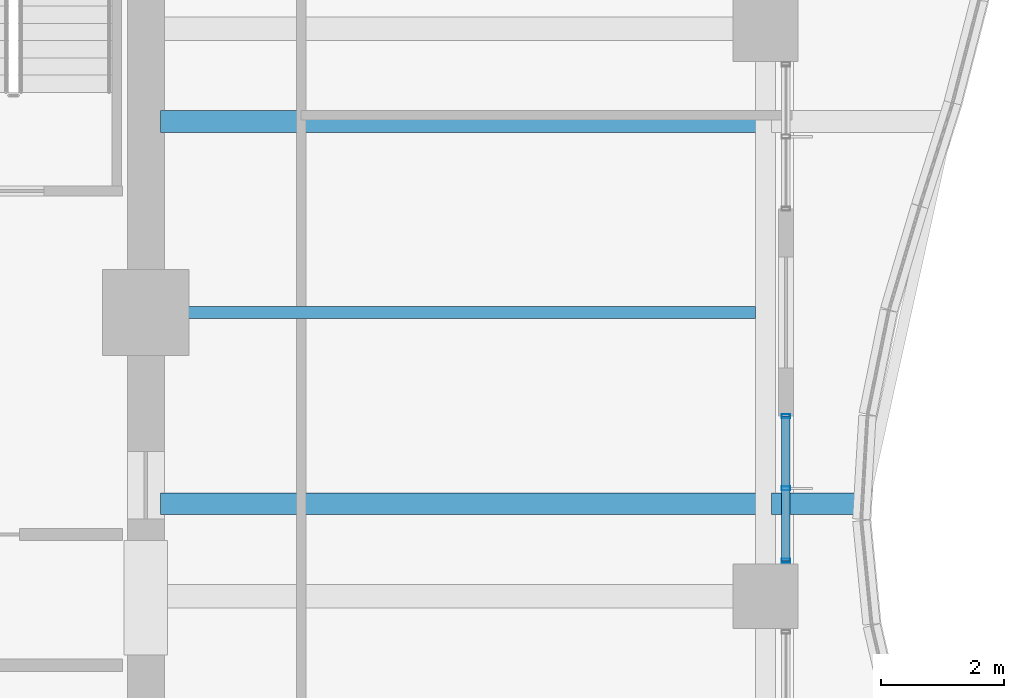
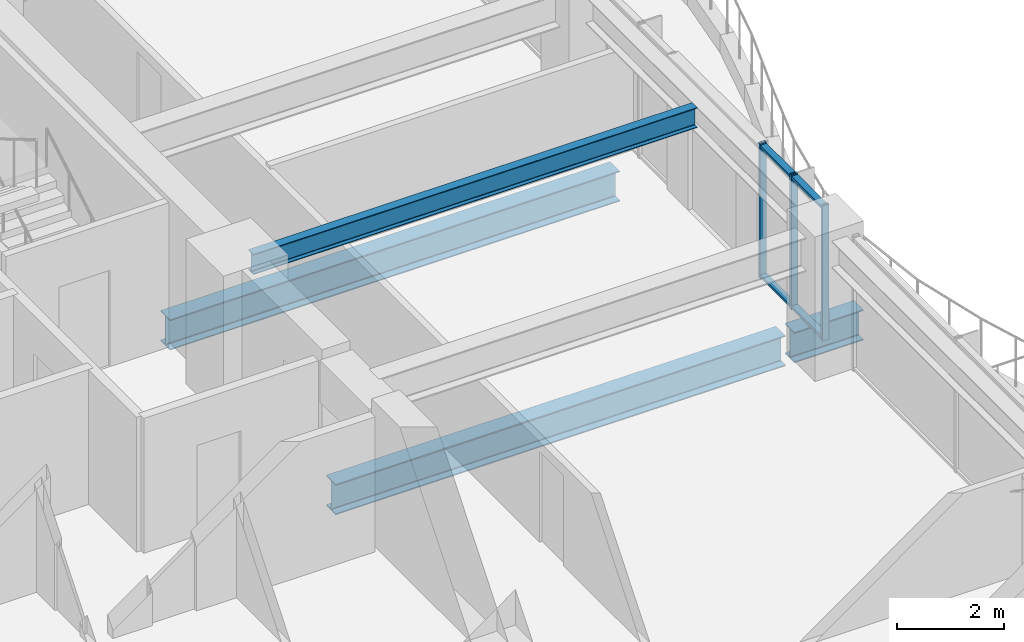
# One storey, part 16 of 36: 5 members, 4 beams, 1 element without a shape of its own.
"""IFC4 building model written with IfcOpenShell, lengths in metres."""

from ifc_helpers import new_model, si_unit, direction, frame, origin, origin_2d, place, context, subcontext, project, spatial, hollow_rectangle, i_section, extrude, material, material_profile, profile_set, type_object, element, aggregate, save


model = new_model("IFC4")

# Units and contexts
model_context = context("Model", 3, precision=1e-05, world=origin(), true_north=direction((0.0, 1.0)))
body_context = subcontext(model_context, "Body", "Model", "MODEL_VIEW")
ifc_project = project(units=[si_unit("LENGTHUNIT", "METRE"), si_unit("AREAUNIT", "SQUARE_METRE"), si_unit("VOLUMEUNIT", "CUBIC_METRE"), si_unit("PLANEANGLEUNIT", "RADIAN"), si_unit("MASSUNIT", "GRAM", prefix="KILO")], contexts=[model_context])

# Site, building, storey
site_placement = place(None, origin())
site = spatial("IfcSite", under=ifc_project, at=site_placement, CompositionType="ELEMENT")
building_placement = place(site_placement, origin())
building = spatial("IfcBuilding", under=site, at=building_placement, Name="Kolvaren Belvedere", CompositionType="ELEMENT")
storey_placement = place(building_placement, frame((0.0, 0.0, 92.0)))
storey = spatial("IfcBuildingStorey", under=building, at=storey_placement, Name="L26", CompositionType="ELEMENT", Elevation=92.0)

# Beams
ifc_material_1 = material(Name="Structural steel ASTM A992 Grade 50", Category="steel")
ifc_material_profile_1 = material_profile(ifc_material_1, i_section(OverallWidth=0.35498046875, OverallDepth=0.696044921875, WebThickness=0.015380859375, FlangeThickness=0.02490234375, FilletRadius=0.02197265625, at=origin_2d()), Name="W27X146")
ifc_profile_set_1 = profile_set([ifc_material_profile_1], Name="Structural steel ASTM A992 Grade 50")
beam_type_1 = type_object("IfcBeamType", Name="BM-CANT-BAL", PredefinedType="BEAM", material=ifc_profile_set_1)
beam_1_placement = place(storey_placement, frame((20.044921875, -3.10009765625, -0.568115234375), z_axis=(1.0, 0.0, 0.0), x_axis=(0.0, 1.0, 0.0)))
element("IfcBeam", 1, at=beam_1_placement, inside=storey, type_object=beam_type_1, Name="L26 Planted Balcony Cantilever BAL-E-1", PredefinedType="BEAM", context=body_context, shape_type="SweptSolid", body=[
    extrude(i_section(OverallWidth=0.35498046875, OverallDepth=0.696044921875, WebThickness=0.015380859375, FlangeThickness=0.02490234375, FilletRadius=0.02197265625, at=origin_2d()), origin(), (0.0, 0.0, 1.0), 1.49267578125),
])
ifc_material_2 = material(Name="Structural steel ASTM A992 Grade 50", Category="steel")
ifc_material_profile_2 = material_profile(ifc_material_2, i_section(OverallWidth=0.35498046875, OverallDepth=0.696044921875, WebThickness=0.015380859375, FlangeThickness=0.02490234375, FilletRadius=0.02197265625, at=origin_2d()), Name="W27X146")
ifc_profile_set_2 = profile_set([ifc_material_profile_2], Name="Structural steel ASTM A992 Grade 50")
beam_type_2 = type_object("IfcBeamType", Name="BM-GIRD-W27X146", PredefinedType="BEAM", material=ifc_profile_set_2)
for number, where, z_axis, x_axis, name in (
    (2, (10.139892578125, -3.10009765625, -0.568115234375), (1.0, 0.0, 0.0), (0.0, 1.0, 0.0), "L26 Balcony Interior Back-Span Girder BAL-E-1"),
    (3, (10.139892578125, 3.10009765625, -0.568115234375), (1.0, 0.0, 0.0), (0.0, 1.0, 0.0), "L26 Balcony Interior Back-Span Girder BAL-E-2"),
):
    element("IfcBeam", number, at=place(storey_placement, frame(where, z_axis=z_axis, x_axis=x_axis)), inside=storey, type_object=beam_type_2, Name=name, PredefinedType="BEAM", context=body_context, shape_type="SweptSolid", body=[
        extrude(i_section(OverallWidth=0.35498046875, OverallDepth=0.696044921875, WebThickness=0.015380859375, FlangeThickness=0.02490234375, FilletRadius=0.02197265625, at=origin_2d()), origin(), (0.0, 0.0, 1.0), 9.715087890625),
    ])
ifc_material_3 = material(Name="Structural steel ASTM A992 Grade 50", Category="steel")
ifc_material_profile_3 = material_profile(ifc_material_3, i_section(OverallWidth=0.19091796875, OverallDepth=0.4599609375, WebThickness=0.010009765625, FlangeThickness=0.01611328125, FilletRadius=0.014892578125, at=origin_2d()), Name="W18X55")
ifc_profile_set_3 = profile_set([ifc_material_profile_3], Name="Structural steel ASTM A992 Grade 50")
beam_type_3 = type_object("IfcBeamType", Name="BM-JOIST-W18X55", PredefinedType="BEAM", material=ifc_profile_set_3)
beam_2_placement = place(storey_placement, frame((10.199951171875, 0.0, 2.85009765625), z_axis=(1.0, 0.0, 0.0), x_axis=(0.0, 1.0, 0.0)))
element("IfcBeam", 4, at=beam_2_placement, inside=storey, type_object=beam_type_3, Name="L26 East Centre Floor Beam", PredefinedType="BEAM", context=body_context, shape_type="SweptSolid", body=[
    extrude(i_section(OverallWidth=0.19091796875, OverallDepth=0.4599609375, WebThickness=0.010009765625, FlangeThickness=0.01611328125, FilletRadius=0.014892578125, at=origin_2d()), origin(), (0.0, 0.0, 1.0), 9.587646484375),
])

# Curtain wall, members
ifc_material_4 = material(Name="Anodised pale-metal aluminium AA 6063-T6", Category="aluminium")
curtain_wall_type = type_object("IfcCurtainWallType", Name="CW-Z2-MID", PredefinedType="NOTDEFINED", material=ifc_material_4)
curtain_wall_placement = place(storey_placement, origin())
curtain_wall = element("IfcCurtainWall", 5, at=curtain_wall_placement, inside=storey, type_object=curtain_wall_type, Name="L26 Unitised Curtain Wall FCW-L26-E2-B1", PredefinedType="NOTDEFINED")
ifc_material_5 = material(Name="Anodised pale-metal aluminium AA 6063-T6", Category="aluminium")
ifc_material_profile_4 = material_profile(ifc_material_5, hollow_rectangle(XDim=0.06494140625, YDim=0.139892578125, WallThickness=0.00390625, at=origin_2d()), Name="ALU-MUL-140X65")
ifc_profile_set_4 = profile_set([ifc_material_profile_4], Name="Anodised pale-metal aluminium AA 6063-T6")
member_type_1 = type_object("IfcMemberType", Name="CW-MUL-140", PredefinedType="MULLION", material=ifc_profile_set_4)
member_1_placement = place(storey_placement, frame((20.280029296875, -1.679931640625, 0.0), z_axis=(0.0, 0.0, 1.0), x_axis=(0.0, 1.0, 0.0)))
member_1 = element("IfcMember", 6, at=member_1_placement, type_object=member_type_1, Name="FCW-L26-E2-B1 Unitised Mullion 1", PredefinedType="MULLION", context=body_context, shape_type="SweptSolid", body=[
    extrude(hollow_rectangle(XDim=0.06494140625, YDim=0.139892578125, WallThickness=0.00390625, at=origin_2d()), origin(), (0.0, 0.0, 1.0), 3.080078125),
])
member_2_placement = place(storey_placement, frame((20.280029296875, -2.851318359375, 0.0), z_axis=(0.0, 0.0, 1.0), x_axis=(0.0, 1.0, 0.0)))
member_2 = element("IfcMember", 7, at=member_2_placement, type_object=member_type_1, Name="FCW-L26-E2-B1 Unitised Mullion 2", PredefinedType="MULLION", context=body_context, shape_type="SweptSolid", body=[
    extrude(hollow_rectangle(XDim=0.06494140625, YDim=0.139892578125, WallThickness=0.00390625, at=origin_2d()), origin(), (0.0, 0.0, 1.0), 3.080078125),
])
member_3_placement = place(storey_placement, frame((20.280029296875, -4.0224609375, 0.0), z_axis=(0.0, 0.0, 1.0), x_axis=(0.0, 1.0, 0.0)))
member_3 = element("IfcMember", 8, at=member_3_placement, type_object=member_type_1, Name="FCW-L26-E2-B1 Unitised Mullion 3", PredefinedType="MULLION", context=body_context, shape_type="SweptSolid", body=[
    extrude(hollow_rectangle(XDim=0.06494140625, YDim=0.139892578125, WallThickness=0.00390625, at=origin_2d()), origin(), (0.0, 0.0, 1.0), 3.080078125),
])
ifc_material_6 = material(Name="Anodised pale-metal aluminium AA 6063-T6", Category="aluminium")
ifc_material_profile_5 = material_profile(ifc_material_6, hollow_rectangle(XDim=0.06005859375, YDim=0.139892578125, WallThickness=0.00390625, at=origin_2d()), Name="ALU-TRN-140X60")
ifc_profile_set_5 = profile_set([ifc_material_profile_5], Name="Anodised pale-metal aluminium AA 6063-T6")
member_type_2 = type_object("IfcMemberType", Name="CW-TRN-140", PredefinedType="USERDEFINED", material=ifc_profile_set_5)
member_4_placement = place(storey_placement, frame((20.280029296875, -1.679931640625, 0.06005859375), z_axis=(0.0, -1.0, 0.0), x_axis=(0.0, 0.0, 1.0)))
member_4 = element("IfcMember", 9, at=member_4_placement, type_object=member_type_2, Name="FCW-L26-E2-B1 Sill Transom", ObjectType="TRANSOM", PredefinedType="USERDEFINED", context=body_context, shape_type="SweptSolid", body=[
    extrude(hollow_rectangle(XDim=0.06005859375, YDim=0.139892578125, WallThickness=0.00390625, at=origin_2d()), origin(), (0.0, 0.0, 1.0), 2.342529296875),
])
member_5_placement = place(storey_placement, frame((20.280029296875, -1.679931640625, 3.02001953125), z_axis=(0.0, -1.0, 0.0), x_axis=(0.0, 0.0, 1.0)))
member_5 = element("IfcMember", 10, at=member_5_placement, type_object=member_type_2, Name="FCW-L26-E2-B1 Head Transom", ObjectType="TRANSOM", PredefinedType="USERDEFINED", context=body_context, shape_type="SweptSolid", body=[
    extrude(hollow_rectangle(XDim=0.06005859375, YDim=0.139892578125, WallThickness=0.00390625, at=origin_2d()), origin(), (0.0, 0.0, 1.0), 2.342529296875),
])
aggregate(curtain_wall, [member_1, member_2, member_3, member_4, member_5])

save(model, "model.ifc")
